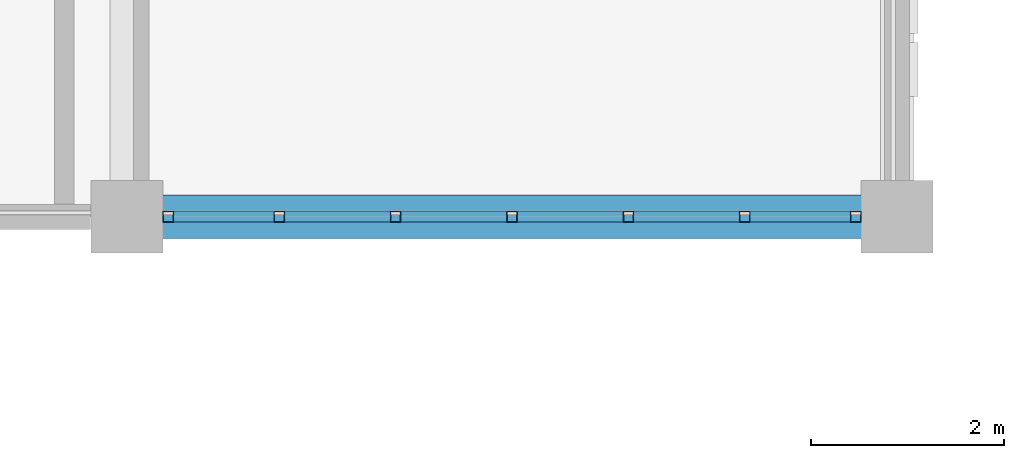
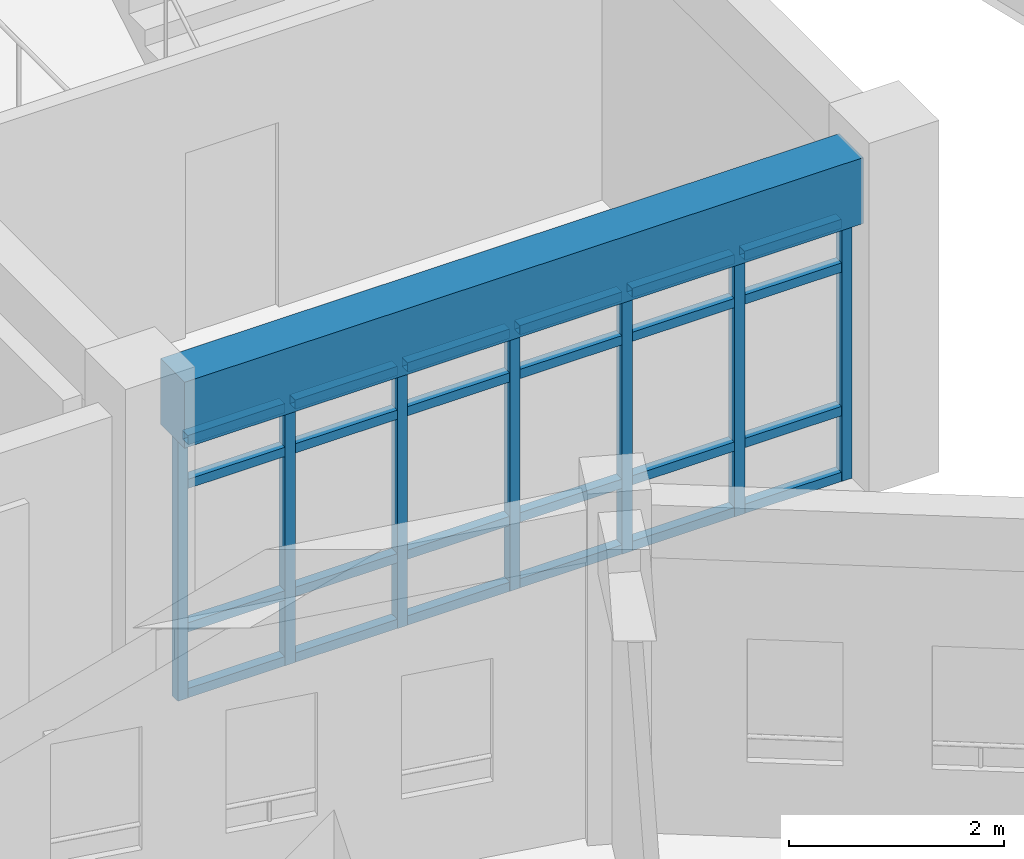
# One storey, part 22 of 159: 31 members, 1 beam, 1 element without a shape of its own.
"""IFC4 building model written with IfcOpenShell, lengths in metres."""

import ifcopenshell
import ifcopenshell.guid

model = None  # the IFC model being written
_history = None  # IfcOwnerHistory: only IFC2X3 demands one
_inside = {}  # id of a spatial element -> (the spatial element, [elements in it])
_under = {}  # id of a project, library or spatial element -> (it, [spatial elements below it])
_declared = {}  # id of a project -> (the project, [libraries it declares])
_typed = {}  # id of a type object -> (the type object, [elements of that type])
_made_of = {}  # id of a material, layer set ... -> (it, [elements and type objects made of it])


def new_model(schema):
    """Start an empty IFC model of exactly this schema.

    Asked for "IFC4X3", IfcOpenShell would pick the latest addendum, in which some entities
    have other attributes; the version numbers below select the first issue.
    IFC2X3 requires an IfcOwnerHistory on every rooted entity: one is made here for all.
    """
    global model, _history
    if schema == "IFC4X3":
        model = ifcopenshell.file(schema_version=(4, 3, 0, 0))
    else:
        model = ifcopenshell.file(schema=schema)
    _inside.clear()
    _under.clear()
    _declared.clear()
    _typed.clear()
    _made_of.clear()
    _history = None
    if model.schema == "IFC2X3":
        org = make("IfcOrganization", Name="unknown")
        user = make(
            "IfcPersonAndOrganization",
            ThePerson=make("IfcPerson", FamilyName="unknown"),
            TheOrganization=org,
        )
        app = make(
            "IfcApplication",
            ApplicationDeveloper=org,
            Version="unknown",
            ApplicationFullName="unknown",
            ApplicationIdentifier="unknown",
        )
        _history = make(
            "IfcOwnerHistory",
            OwningUser=user,
            OwningApplication=app,
            ChangeAction="ADDED",
            CreationDate=0,
        )
    return model


def make(cls, **values):
    """One entity of the class cls with the attributes given. An attribute that is None is left unset."""
    return model.create_entity(
        cls, **{name: value for name, value in values.items() if value is not None}
    )


def rooted(cls, **values):
    """An entity with a GlobalId (a new one), such as an element, a storey or a relation."""
    return make(cls, GlobalId=ifcopenshell.guid.new(), OwnerHistory=_history, **values)


def si_unit(unit_type, name, prefix=None):
    """IfcSIUnit, for example si_unit("LENGTHUNIT", "METRE", prefix="MILLI")."""
    return make("IfcSIUnit", UnitType=unit_type, Prefix=prefix, Name=name)


def assignment(units):
    """IfcUnitAssignment: the units of a project."""
    return None if units is None else make("IfcUnitAssignment", Units=units)


def point(xyz):
    """IfcCartesianPoint."""
    return None if xyz is None else make("IfcCartesianPoint", Coordinates=xyz)


def direction(xyz):
    """IfcDirection."""
    return None if xyz is None else make("IfcDirection", DirectionRatios=xyz)


def frame(location, z_axis=None, x_axis=None):
    """IfcAxis2Placement3D, a coordinate frame: its origin and axes. An axis left out is left unset."""
    return make(
        "IfcAxis2Placement3D",
        Location=point(location),
        Axis=direction(z_axis),
        RefDirection=direction(x_axis),
    )


def frame_2d(location, x_axis=None):
    """IfcAxis2Placement2D, a coordinate frame in the plane: its origin and x axis."""
    return make(
        "IfcAxis2Placement2D", Location=point(location), RefDirection=direction(x_axis)
    )


def origin():
    """The frame at (0, 0, 0) with its axes left unset."""
    return frame((0.0, 0.0, 0.0))


def origin_2d():
    """The frame at (0, 0) in the plane with its x axis left unset."""
    return frame_2d((0.0, 0.0))


def place(relative_to, where):
    """IfcLocalPlacement: puts the frame where relative to a parent placement (None: the world)."""
    return make(
        "IfcLocalPlacement", PlacementRelTo=relative_to, RelativePlacement=where
    )


def context(
    kind, dimensions, precision=None, world=None, true_north=None, identifier=None
):
    """IfcGeometricRepresentationContext, for example the 3D "Model" context."""
    return make(
        "IfcGeometricRepresentationContext",
        ContextIdentifier=identifier,
        ContextType=kind,
        CoordinateSpaceDimension=dimensions,
        Precision=precision,
        WorldCoordinateSystem=world,
        TrueNorth=true_north,
    )


def subcontext(parent, identifier, kind, view, scale=None):
    """IfcGeometricRepresentationSubContext, for example "Body" below "Model"."""
    return make(
        "IfcGeometricRepresentationSubContext",
        ContextIdentifier=identifier,
        ContextType=kind,
        ParentContext=parent,
        TargetScale=scale,
        TargetView=view,
    )


def project(units=None, contexts=None):
    """IfcProject with its units and contexts."""
    return rooted(
        "IfcProject",
        Name="project",
        RepresentationContexts=contexts,
        UnitsInContext=assignment(units),
    )


def spatial(cls, under=None, at=None, **own):
    """A site, building, storey or space (cls), placed at a placement, below another one or the project."""
    s = rooted(cls, ObjectPlacement=at, **own)
    if under is not None:
        _under.setdefault(under.id(), (under, []))[1].append(s)
    return s


def profile(cls, at=None, kind="AREA", **sizes):
    """A parametric profile (cls). Its sizes go by their IFC names, for example OverallWidth=200.0."""
    return make(cls, ProfileType=kind, Position=at, **sizes)


def rectangle(**sizes):
    """IfcRectangleProfileDef."""
    return profile("IfcRectangleProfileDef", **sizes)


def hollow_rectangle(**sizes):
    """IfcRectangleHollowProfileDef."""
    return profile("IfcRectangleHollowProfileDef", **sizes)


def extrude(swept, where, along, depth):
    """IfcExtrudedAreaSolid: the profile swept, set in the frame where, extruded along a direction by depth."""
    return make(
        "IfcExtrudedAreaSolid",
        SweptArea=swept,
        Position=where,
        ExtrudedDirection=direction(along),
        Depth=depth,
    )


def shape(context_of_items, identifier, shape_type, items):
    """IfcShapeRepresentation: the items that make up one representation, for example the "Body"."""
    return make(
        "IfcShapeRepresentation",
        ContextOfItems=context_of_items,
        RepresentationIdentifier=identifier,
        RepresentationType=shape_type,
        Items=items,
    )


def material(Name=None, Category=None):
    """IfcMaterial."""
    return make("IfcMaterial", Name=Name, Category=Category)


def material_profile(
    of_material, cross_section, Name=None, Category=None, Priority=None
):
    """IfcMaterialProfile: a cross section and its material."""
    return make(
        "IfcMaterialProfile",
        Name=Name,
        Material=of_material,
        Profile=cross_section,
        Priority=Priority,
        Category=Category,
    )


def profile_set(profiles, Name=None, composite=None):
    """IfcMaterialProfileSet."""
    return make(
        "IfcMaterialProfileSet",
        Name=Name,
        MaterialProfiles=profiles,
        CompositeProfile=composite,
    )


def made_of(thing, what):
    """Note that an element or type object is made of a material, layer set ...; save() writes the relation."""
    if what is not None:
        _made_of.setdefault(what.id(), (what, []))[1].append(thing)
    return thing


def type_object(cls, material=None, **own):
    """A type object (cls), such as IfcWallType, which elements share."""
    return made_of(rooted(cls, **own), material)


def element(
    cls,
    number,
    at=None,
    inside=None,
    cuts=None,
    type_object=None,
    material=None,
    context=None,
    identifier="Body",
    shape_type=None,
    held_by="IfcProductDefinitionShape",
    body=None,
    shapes=None,
    **own,
):
    """One element of the class cls, such as IfcWall. Its Tag is "e" and its number.

    at: its placement. inside: the storey or other place that contains it. cuts: it is an
    opening in that element (IfcRelVoidsElement). A single representation is given by context,
    identifier, shape_type and body (its items); several are given by shapes. held_by: the class
    of the entity that holds the representations. save() writes the other relations.
    """
    e = rooted(cls, Tag="e%d" % number, ObjectPlacement=at, **own)
    if body is not None:
        shapes = [shape(context, identifier, shape_type, body)]
    if shapes is not None:
        e.Representation = make(held_by, Representations=shapes)
    if inside is not None:
        _inside.setdefault(inside.id(), (inside, []))[1].append(e)
    if cuts is not None:
        rooted(
            "IfcRelVoidsElement", RelatingBuildingElement=cuts, RelatedOpeningElement=e
        )
    if type_object is not None:
        _typed.setdefault(type_object.id(), (type_object, []))[1].append(e)
    return made_of(e, material)


def aggregate(whole, parts):
    """IfcRelAggregates: a whole, such as a stair, and the parts it consists of."""
    return rooted("IfcRelAggregates", RelatingObject=whole, RelatedObjects=parts)


def save(model, path):
    """Write the relations noted so far, then the file.

    IfcRelAggregates (storeys below a building ...), IfcRelContainedInSpatialStructure (elements
    in a storey), IfcRelDefinesByType, IfcRelAssociatesMaterial and IfcRelDeclares: one each for
    every whole, place, type object, material and project.
    """
    for whole, parts in _under.values():
        aggregate(whole, parts)
    for where, things in _inside.values():
        rooted(
            "IfcRelContainedInSpatialStructure",
            RelatedElements=things,
            RelatingStructure=where,
        )
    for kind, things in _typed.values():
        rooted("IfcRelDefinesByType", RelatedObjects=things, RelatingType=kind)
    for what, things in _made_of.values():
        rooted("IfcRelAssociatesMaterial", RelatedObjects=things, RelatingMaterial=what)
    for by, libraries in _declared.values():
        rooted("IfcRelDeclares", RelatingContext=by, RelatedDefinitions=libraries)
    model.write(path)


model = new_model("IFC4")

# Units and contexts
model_context = context("Model", 3, precision=1e-05, world=origin(), true_north=direction((0.0, 1.0)))
body_context = subcontext(model_context, "Body", "Model", "MODEL_VIEW")
ifc_project = project(units=[si_unit("LENGTHUNIT", "METRE"), si_unit("AREAUNIT", "SQUARE_METRE"), si_unit("VOLUMEUNIT", "CUBIC_METRE"), si_unit("PLANEANGLEUNIT", "RADIAN"), si_unit("MASSUNIT", "GRAM", prefix="KILO")], contexts=[model_context])

# Site, building, storey
site_placement = place(None, origin())
site = spatial("IfcSite", under=ifc_project, at=site_placement, CompositionType="ELEMENT")
building_placement = place(site_placement, origin())
building = spatial("IfcBuilding", under=site, at=building_placement, Name="Celadon Cloister-Ring School", CompositionType="ELEMENT")
storey_placement = place(building_placement, frame((0.0, 0.0, 4.5)))
storey = spatial("IfcBuildingStorey", under=building, at=storey_placement, Name="L01", CompositionType="ELEMENT", Elevation=4.5)

# Curtain wall, members
ifc_material_1 = material(Name="Aluminium EN AW-6063 T6", Category="aluminium")
curtain_wall_type = type_object("IfcCurtainWallType", Name="CW-14", PredefinedType="USERDEFINED", material=ifc_material_1)
curtain_wall_placement = place(storey_placement, origin())
curtain_wall = element("IfcCurtainWall", 1, at=curtain_wall_placement, inside=storey, type_object=curtain_wall_type, Name="Curtain Wall 0197", ObjectType="CURTAIN WALL", PredefinedType="USERDEFINED")
ifc_material_2 = material(Name="Aluminium EN AW-6063 T6", Category="aluminium")
ifc_material_profile_1 = material_profile(ifc_material_2, hollow_rectangle(XDim=0.110107421875, YDim=0.110107421875, WallThickness=0.0048828125, at=origin_2d()), Name="RHS110X110X5")
ifc_profile_set_1 = profile_set([ifc_material_profile_1], Name="Aluminium EN AW-6063 T6")
member_type_1 = type_object("IfcMemberType", Name="CM-01", PredefinedType="MULLION", material=ifc_profile_set_1)
member_1_placement = place(storey_placement, frame((31.570068359375, 40.0, 0.0), z_axis=(0.0, 0.0, 1.0), x_axis=(0.0, -1.0, 0.0)))
member_1 = element("IfcMember", 2, at=member_1_placement, type_object=member_type_1, Name="CW-14 mullion 1", PredefinedType="MULLION", context=body_context, shape_type="SweptSolid", body=[
    extrude(hollow_rectangle(XDim=0.110107421875, YDim=0.110107421875, WallThickness=0.0048828125, at=origin_2d()), origin(), (0.0, 0.0, 1.0), 2.98193359375),
])
member_2_placement = place(storey_placement, frame((30.416748046875, 40.0, 0.0), z_axis=(0.0, 0.0, 1.0), x_axis=(0.0, -1.0, 0.0)))
member_2 = element("IfcMember", 3, at=member_2_placement, type_object=member_type_1, Name="CW-14 mullion 2", PredefinedType="MULLION", context=body_context, shape_type="SweptSolid", body=[
    extrude(hollow_rectangle(XDim=0.110107421875, YDim=0.110107421875, WallThickness=0.0048828125, at=origin_2d()), origin(), (0.0, 0.0, 1.0), 2.98193359375),
])
member_3_placement = place(storey_placement, frame((29.208251953125, 40.0, 0.0), z_axis=(0.0, 0.0, 1.0), x_axis=(0.0, -1.0, 0.0)))
member_3 = element("IfcMember", 4, at=member_3_placement, type_object=member_type_1, Name="CW-14 mullion 3", PredefinedType="MULLION", context=body_context, shape_type="SweptSolid", body=[
    extrude(hollow_rectangle(XDim=0.110107421875, YDim=0.110107421875, WallThickness=0.0048828125, at=origin_2d()), origin(), (0.0, 0.0, 1.0), 2.98193359375),
])
member_4_placement = place(storey_placement, frame((28.0, 40.0, 0.0), z_axis=(0.0, 0.0, 1.0), x_axis=(0.0, -1.0, 0.0)))
member_4 = element("IfcMember", 5, at=member_4_placement, type_object=member_type_1, Name="CW-14 mullion 4", PredefinedType="MULLION", context=body_context, shape_type="SweptSolid", body=[
    extrude(hollow_rectangle(XDim=0.110107421875, YDim=0.110107421875, WallThickness=0.0048828125, at=origin_2d()), origin(), (0.0, 0.0, 1.0), 2.98193359375),
])
member_5_placement = place(storey_placement, frame((26.791748046875, 40.0, 0.0), z_axis=(0.0, 0.0, 1.0), x_axis=(0.0, -1.0, 0.0)))
member_5 = element("IfcMember", 6, at=member_5_placement, type_object=member_type_1, Name="CW-14 mullion 5", PredefinedType="MULLION", context=body_context, shape_type="SweptSolid", body=[
    extrude(hollow_rectangle(XDim=0.110107421875, YDim=0.110107421875, WallThickness=0.0048828125, at=origin_2d()), origin(), (0.0, 0.0, 1.0), 2.98193359375),
])
member_6_placement = place(storey_placement, frame((25.583251953125, 40.0, 0.0), z_axis=(0.0, 0.0, 1.0), x_axis=(0.0, -1.0, 0.0)))
member_6 = element("IfcMember", 7, at=member_6_placement, type_object=member_type_1, Name="CW-14 mullion 6", PredefinedType="MULLION", context=body_context, shape_type="SweptSolid", body=[
    extrude(hollow_rectangle(XDim=0.110107421875, YDim=0.110107421875, WallThickness=0.0048828125, at=origin_2d()), origin(), (0.0, 0.0, 1.0), 2.98193359375),
])
member_7_placement = place(storey_placement, frame((24.429931640625, 40.0, 0.0), z_axis=(0.0, 0.0, 1.0), x_axis=(0.0, -1.0, 0.0)))
member_7 = element("IfcMember", 8, at=member_7_placement, type_object=member_type_1, Name="CW-14 mullion 7", PredefinedType="MULLION", context=body_context, shape_type="SweptSolid", body=[
    extrude(hollow_rectangle(XDim=0.110107421875, YDim=0.110107421875, WallThickness=0.0048828125, at=origin_2d()), origin(), (0.0, 0.0, 1.0), 2.98193359375),
])
ifc_material_3 = material(Name="Aluminium EN AW-6063 T6", Category="aluminium")
ifc_material_profile_2 = material_profile(ifc_material_3, hollow_rectangle(XDim=0.10498046875, YDim=0.10498046875, WallThickness=0.0048828125, at=origin_2d()), Name="RHS105X105X5")
ifc_profile_set_2 = profile_set([ifc_material_profile_2], Name="Aluminium EN AW-6063 T6")
member_type_2 = type_object("IfcMemberType", Name="CTM-01", PredefinedType="USERDEFINED", material=ifc_profile_set_2)
member_8_placement = place(storey_placement, frame((31.514892578125, 40.0, 0.052490234375), z_axis=(-1.0, 0.0, 0.0), x_axis=(0.0, -1.0, 0.0)))
member_8 = element("IfcMember", 9, at=member_8_placement, type_object=member_type_2, Name="CW-14 transom 1.1", ObjectType="TRANSOM", PredefinedType="USERDEFINED", context=body_context, shape_type="SweptSolid", body=[
    extrude(hollow_rectangle(XDim=0.10498046875, YDim=0.10498046875, WallThickness=0.0048828125, at=origin_2d()), origin(), (0.0, 0.0, 1.0), 1.043212890625),
])
member_9_placement = place(storey_placement, frame((31.514892578125, 40.0, 0.800048828125), z_axis=(-1.0, 0.0, 0.0), x_axis=(0.0, -1.0, 0.0)))
member_9 = element("IfcMember", 10, at=member_9_placement, type_object=member_type_2, Name="CW-14 transom 1.2", ObjectType="TRANSOM", PredefinedType="USERDEFINED", context=body_context, shape_type="SweptSolid", body=[
    extrude(hollow_rectangle(XDim=0.10498046875, YDim=0.10498046875, WallThickness=0.0048828125, at=origin_2d()), origin(), (0.0, 0.0, 1.0), 1.043212890625),
])
member_10_placement = place(storey_placement, frame((31.514892578125, 40.0, 2.431884765625), z_axis=(-1.0, 0.0, 0.0), x_axis=(0.0, -1.0, 0.0)))
member_10 = element("IfcMember", 11, at=member_10_placement, type_object=member_type_2, Name="CW-14 transom 1.3", ObjectType="TRANSOM", PredefinedType="USERDEFINED", context=body_context, shape_type="SweptSolid", body=[
    extrude(hollow_rectangle(XDim=0.10498046875, YDim=0.10498046875, WallThickness=0.0048828125, at=origin_2d()), origin(), (0.0, 0.0, 1.0), 1.043212890625),
])
member_11_placement = place(storey_placement, frame((31.514892578125, 40.0, 2.929443359375), z_axis=(-1.0, 0.0, 0.0), x_axis=(0.0, -1.0, 0.0)))
member_11 = element("IfcMember", 12, at=member_11_placement, type_object=member_type_2, Name="CW-14 transom 1.4", ObjectType="TRANSOM", PredefinedType="USERDEFINED", context=body_context, shape_type="SweptSolid", body=[
    extrude(hollow_rectangle(XDim=0.10498046875, YDim=0.10498046875, WallThickness=0.0048828125, at=origin_2d()), origin(), (0.0, 0.0, 1.0), 1.043212890625),
])
member_12_placement = place(storey_placement, frame((30.361572265625, 40.0, 0.052490234375), z_axis=(-1.0, 0.0, 0.0), x_axis=(0.0, -1.0, 0.0)))
member_12 = element("IfcMember", 13, at=member_12_placement, type_object=member_type_2, Name="CW-14 transom 2.1", ObjectType="TRANSOM", PredefinedType="USERDEFINED", context=body_context, shape_type="SweptSolid", body=[
    extrude(hollow_rectangle(XDim=0.10498046875, YDim=0.10498046875, WallThickness=0.0048828125, at=origin_2d()), origin(), (0.0, 0.0, 1.0), 1.09814453125),
])
member_13_placement = place(storey_placement, frame((30.361572265625, 40.0, 0.800048828125), z_axis=(-1.0, 0.0, 0.0), x_axis=(0.0, -1.0, 0.0)))
member_13 = element("IfcMember", 14, at=member_13_placement, type_object=member_type_2, Name="CW-14 transom 2.2", ObjectType="TRANSOM", PredefinedType="USERDEFINED", context=body_context, shape_type="SweptSolid", body=[
    extrude(hollow_rectangle(XDim=0.10498046875, YDim=0.10498046875, WallThickness=0.0048828125, at=origin_2d()), origin(), (0.0, 0.0, 1.0), 1.09814453125),
])
member_14_placement = place(storey_placement, frame((30.361572265625, 40.0, 2.431884765625), z_axis=(-1.0, 0.0, 0.0), x_axis=(0.0, -1.0, 0.0)))
member_14 = element("IfcMember", 15, at=member_14_placement, type_object=member_type_2, Name="CW-14 transom 2.3", ObjectType="TRANSOM", PredefinedType="USERDEFINED", context=body_context, shape_type="SweptSolid", body=[
    extrude(hollow_rectangle(XDim=0.10498046875, YDim=0.10498046875, WallThickness=0.0048828125, at=origin_2d()), origin(), (0.0, 0.0, 1.0), 1.09814453125),
])
member_15_placement = place(storey_placement, frame((30.361572265625, 40.0, 2.929443359375), z_axis=(-1.0, 0.0, 0.0), x_axis=(0.0, -1.0, 0.0)))
member_15 = element("IfcMember", 16, at=member_15_placement, type_object=member_type_2, Name="CW-14 transom 2.4", ObjectType="TRANSOM", PredefinedType="USERDEFINED", context=body_context, shape_type="SweptSolid", body=[
    extrude(hollow_rectangle(XDim=0.10498046875, YDim=0.10498046875, WallThickness=0.0048828125, at=origin_2d()), origin(), (0.0, 0.0, 1.0), 1.09814453125),
])
member_16_placement = place(storey_placement, frame((29.1533203125, 40.0, 0.052490234375), z_axis=(-1.0, 0.0, 0.0), x_axis=(0.0, -1.0, 0.0)))
member_16 = element("IfcMember", 17, at=member_16_placement, type_object=member_type_2, Name="CW-14 transom 3.1", ObjectType="TRANSOM", PredefinedType="USERDEFINED", context=body_context, shape_type="SweptSolid", body=[
    extrude(hollow_rectangle(XDim=0.10498046875, YDim=0.10498046875, WallThickness=0.0048828125, at=origin_2d()), origin(), (0.0, 0.0, 1.0), 1.098388671875),
])
member_17_placement = place(storey_placement, frame((29.1533203125, 40.0, 0.800048828125), z_axis=(-1.0, 0.0, 0.0), x_axis=(0.0, -1.0, 0.0)))
member_17 = element("IfcMember", 18, at=member_17_placement, type_object=member_type_2, Name="CW-14 transom 3.2", ObjectType="TRANSOM", PredefinedType="USERDEFINED", context=body_context, shape_type="SweptSolid", body=[
    extrude(hollow_rectangle(XDim=0.10498046875, YDim=0.10498046875, WallThickness=0.0048828125, at=origin_2d()), origin(), (0.0, 0.0, 1.0), 1.098388671875),
])
member_18_placement = place(storey_placement, frame((29.1533203125, 40.0, 2.431884765625), z_axis=(-1.0, 0.0, 0.0), x_axis=(0.0, -1.0, 0.0)))
member_18 = element("IfcMember", 19, at=member_18_placement, type_object=member_type_2, Name="CW-14 transom 3.3", ObjectType="TRANSOM", PredefinedType="USERDEFINED", context=body_context, shape_type="SweptSolid", body=[
    extrude(hollow_rectangle(XDim=0.10498046875, YDim=0.10498046875, WallThickness=0.0048828125, at=origin_2d()), origin(), (0.0, 0.0, 1.0), 1.098388671875),
])
member_19_placement = place(storey_placement, frame((29.1533203125, 40.0, 2.929443359375), z_axis=(-1.0, 0.0, 0.0), x_axis=(0.0, -1.0, 0.0)))
member_19 = element("IfcMember", 20, at=member_19_placement, type_object=member_type_2, Name="CW-14 transom 3.4", ObjectType="TRANSOM", PredefinedType="USERDEFINED", context=body_context, shape_type="SweptSolid", body=[
    extrude(hollow_rectangle(XDim=0.10498046875, YDim=0.10498046875, WallThickness=0.0048828125, at=origin_2d()), origin(), (0.0, 0.0, 1.0), 1.098388671875),
])
member_20_placement = place(storey_placement, frame((27.945068359375, 40.0, 0.052490234375), z_axis=(-1.0, 0.0, 0.0), x_axis=(0.0, -1.0, 0.0)))
member_20 = element("IfcMember", 21, at=member_20_placement, type_object=member_type_2, Name="CW-14 transom 4.1", ObjectType="TRANSOM", PredefinedType="USERDEFINED", context=body_context, shape_type="SweptSolid", body=[
    extrude(hollow_rectangle(XDim=0.10498046875, YDim=0.10498046875, WallThickness=0.0048828125, at=origin_2d()), origin(), (0.0, 0.0, 1.0), 1.098388671875),
])
member_21_placement = place(storey_placement, frame((27.945068359375, 40.0, 0.800048828125), z_axis=(-1.0, 0.0, 0.0), x_axis=(0.0, -1.0, 0.0)))
member_21 = element("IfcMember", 22, at=member_21_placement, type_object=member_type_2, Name="CW-14 transom 4.2", ObjectType="TRANSOM", PredefinedType="USERDEFINED", context=body_context, shape_type="SweptSolid", body=[
    extrude(hollow_rectangle(XDim=0.10498046875, YDim=0.10498046875, WallThickness=0.0048828125, at=origin_2d()), origin(), (0.0, 0.0, 1.0), 1.098388671875),
])
member_22_placement = place(storey_placement, frame((27.945068359375, 40.0, 2.431884765625), z_axis=(-1.0, 0.0, 0.0), x_axis=(0.0, -1.0, 0.0)))
member_22 = element("IfcMember", 23, at=member_22_placement, type_object=member_type_2, Name="CW-14 transom 4.3", ObjectType="TRANSOM", PredefinedType="USERDEFINED", context=body_context, shape_type="SweptSolid", body=[
    extrude(hollow_rectangle(XDim=0.10498046875, YDim=0.10498046875, WallThickness=0.0048828125, at=origin_2d()), origin(), (0.0, 0.0, 1.0), 1.098388671875),
])
member_23_placement = place(storey_placement, frame((27.945068359375, 40.0, 2.929443359375), z_axis=(-1.0, 0.0, 0.0), x_axis=(0.0, -1.0, 0.0)))
member_23 = element("IfcMember", 24, at=member_23_placement, type_object=member_type_2, Name="CW-14 transom 4.4", ObjectType="TRANSOM", PredefinedType="USERDEFINED", context=body_context, shape_type="SweptSolid", body=[
    extrude(hollow_rectangle(XDim=0.10498046875, YDim=0.10498046875, WallThickness=0.0048828125, at=origin_2d()), origin(), (0.0, 0.0, 1.0), 1.098388671875),
])
member_24_placement = place(storey_placement, frame((26.736572265625, 40.0, 0.052490234375), z_axis=(-1.0, 0.0, 0.0), x_axis=(0.0, -1.0, 0.0)))
member_24 = element("IfcMember", 25, at=member_24_placement, type_object=member_type_2, Name="CW-14 transom 5.1", ObjectType="TRANSOM", PredefinedType="USERDEFINED", context=body_context, shape_type="SweptSolid", body=[
    extrude(hollow_rectangle(XDim=0.10498046875, YDim=0.10498046875, WallThickness=0.0048828125, at=origin_2d()), origin(), (0.0, 0.0, 1.0), 1.09814453125),
])
member_25_placement = place(storey_placement, frame((26.736572265625, 40.0, 0.800048828125), z_axis=(-1.0, 0.0, 0.0), x_axis=(0.0, -1.0, 0.0)))
member_25 = element("IfcMember", 26, at=member_25_placement, type_object=member_type_2, Name="CW-14 transom 5.2", ObjectType="TRANSOM", PredefinedType="USERDEFINED", context=body_context, shape_type="SweptSolid", body=[
    extrude(hollow_rectangle(XDim=0.10498046875, YDim=0.10498046875, WallThickness=0.0048828125, at=origin_2d()), origin(), (0.0, 0.0, 1.0), 1.09814453125),
])
member_26_placement = place(storey_placement, frame((26.736572265625, 40.0, 2.431884765625), z_axis=(-1.0, 0.0, 0.0), x_axis=(0.0, -1.0, 0.0)))
member_26 = element("IfcMember", 27, at=member_26_placement, type_object=member_type_2, Name="CW-14 transom 5.3", ObjectType="TRANSOM", PredefinedType="USERDEFINED", context=body_context, shape_type="SweptSolid", body=[
    extrude(hollow_rectangle(XDim=0.10498046875, YDim=0.10498046875, WallThickness=0.0048828125, at=origin_2d()), origin(), (0.0, 0.0, 1.0), 1.09814453125),
])
member_27_placement = place(storey_placement, frame((26.736572265625, 40.0, 2.929443359375), z_axis=(-1.0, 0.0, 0.0), x_axis=(0.0, -1.0, 0.0)))
member_27 = element("IfcMember", 28, at=member_27_placement, type_object=member_type_2, Name="CW-14 transom 5.4", ObjectType="TRANSOM", PredefinedType="USERDEFINED", context=body_context, shape_type="SweptSolid", body=[
    extrude(hollow_rectangle(XDim=0.10498046875, YDim=0.10498046875, WallThickness=0.0048828125, at=origin_2d()), origin(), (0.0, 0.0, 1.0), 1.09814453125),
])
member_28_placement = place(storey_placement, frame((25.5283203125, 40.0, 0.052490234375), z_axis=(-1.0, 0.0, 0.0), x_axis=(0.0, -1.0, 0.0)))
member_28 = element("IfcMember", 29, at=member_28_placement, type_object=member_type_2, Name="CW-14 transom 6.1", ObjectType="TRANSOM", PredefinedType="USERDEFINED", context=body_context, shape_type="SweptSolid", body=[
    extrude(hollow_rectangle(XDim=0.10498046875, YDim=0.10498046875, WallThickness=0.0048828125, at=origin_2d()), origin(), (0.0, 0.0, 1.0), 1.043212890625),
])
member_29_placement = place(storey_placement, frame((25.5283203125, 40.0, 0.800048828125), z_axis=(-1.0, 0.0, 0.0), x_axis=(0.0, -1.0, 0.0)))
member_29 = element("IfcMember", 30, at=member_29_placement, type_object=member_type_2, Name="CW-14 transom 6.2", ObjectType="TRANSOM", PredefinedType="USERDEFINED", context=body_context, shape_type="SweptSolid", body=[
    extrude(hollow_rectangle(XDim=0.10498046875, YDim=0.10498046875, WallThickness=0.0048828125, at=origin_2d()), origin(), (0.0, 0.0, 1.0), 1.043212890625),
])
member_30_placement = place(storey_placement, frame((25.5283203125, 40.0, 2.431884765625), z_axis=(-1.0, 0.0, 0.0), x_axis=(0.0, -1.0, 0.0)))
member_30 = element("IfcMember", 31, at=member_30_placement, type_object=member_type_2, Name="CW-14 transom 6.3", ObjectType="TRANSOM", PredefinedType="USERDEFINED", context=body_context, shape_type="SweptSolid", body=[
    extrude(hollow_rectangle(XDim=0.10498046875, YDim=0.10498046875, WallThickness=0.0048828125, at=origin_2d()), origin(), (0.0, 0.0, 1.0), 1.043212890625),
])
member_31_placement = place(storey_placement, frame((25.5283203125, 40.0, 2.929443359375), z_axis=(-1.0, 0.0, 0.0), x_axis=(0.0, -1.0, 0.0)))
member_31 = element("IfcMember", 32, at=member_31_placement, type_object=member_type_2, Name="CW-14 transom 6.4", ObjectType="TRANSOM", PredefinedType="USERDEFINED", context=body_context, shape_type="SweptSolid", body=[
    extrude(hollow_rectangle(XDim=0.10498046875, YDim=0.10498046875, WallThickness=0.0048828125, at=origin_2d()), origin(), (0.0, 0.0, 1.0), 1.043212890625),
])
aggregate(curtain_wall, [member_1, member_2, member_3, member_4, member_5, member_6, member_7, member_8, member_9, member_10, member_11, member_12, member_13, member_14, member_15, member_16, member_17, member_18, member_19, member_20, member_21, member_22, member_23, member_24, member_25, member_26, member_27, member_28, member_29, member_30, member_31])

# Beam
ifc_material_4 = material(Name="Concrete C35/45", Category="concrete")
ifc_material_profile_3 = material_profile(ifc_material_4, rectangle(XDim=0.449951171875, YDim=0.75, at=origin_2d()), Name="RC450X750")
ifc_profile_set_3 = profile_set([ifc_material_profile_3], Name="Concrete C35/45")
beam_type = type_object("IfcBeamType", Name="GT-02", PredefinedType="USERDEFINED", material=ifc_profile_set_3)
beam_placement = place(storey_placement, frame((24.35009765625, 40.0, 3.364990234375), z_axis=(1.0, 0.0, 0.0), x_axis=(0.0, 1.0, 0.0)))
element("IfcBeam", 33, at=beam_placement, inside=storey, type_object=beam_type, Name="Beam 1518", ObjectType="GIRDER", PredefinedType="USERDEFINED", context=body_context, shape_type="SweptSolid", body=[
    extrude(rectangle(XDim=0.449951171875, YDim=0.75, at=origin_2d()), origin(), (0.0, 0.0, 1.0), 7.2998046875),
])

save(model, "model.ifc")
